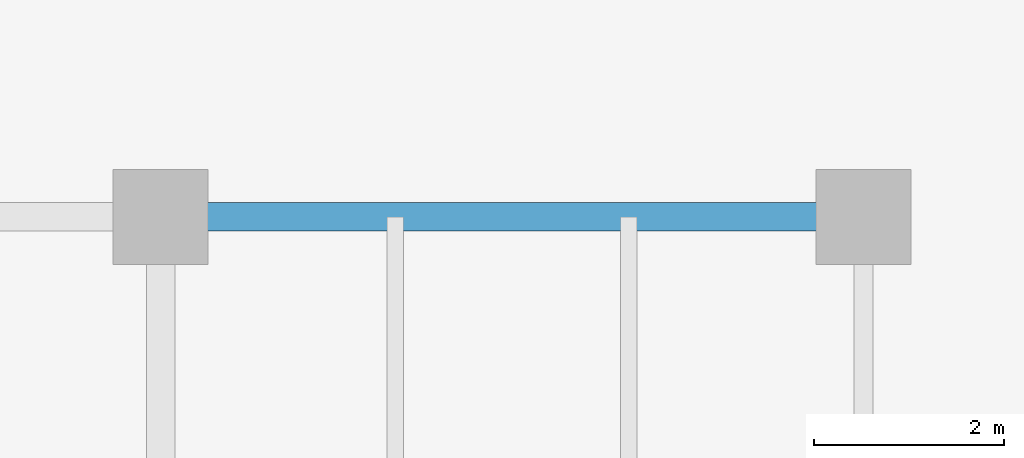
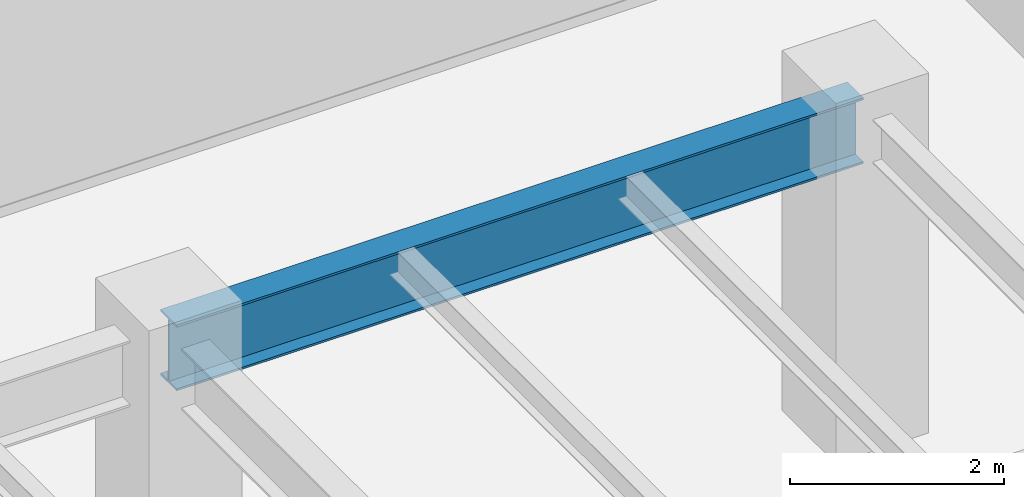
# One storey, part 21 of 35: 1 beam.
"""IFC4 building model written with IfcOpenShell, lengths in metres."""

from ifc_helpers import new_model, si_unit, direction, frame, origin, origin_2d, place, context, subcontext, project, spatial, i_section, extrude, source, transform, mapped, material, material_profile, profile_set, type_object, type_shapes, element, save


model = new_model("IFC4")

# Units and contexts
model_context = context("Model", 3, precision=1e-05, world=origin(), true_north=direction((0.0, 1.0)))
body_context = subcontext(model_context, "Body", "Model", "MODEL_VIEW")
ifc_project = project(units=[si_unit("LENGTHUNIT", "METRE"), si_unit("AREAUNIT", "SQUARE_METRE"), si_unit("VOLUMEUNIT", "CUBIC_METRE"), si_unit("PLANEANGLEUNIT", "RADIAN"), si_unit("MASSUNIT", "GRAM", prefix="KILO")], contexts=[model_context])

# Site, building, storey
site_placement = place(None, origin())
site = spatial("IfcSite", under=ifc_project, at=site_placement, CompositionType="ELEMENT")
building_placement = place(site_placement, origin())
building = spatial("IfcBuilding", under=site, at=building_placement, Name="Haelvirn Gate Laboratories", CompositionType="ELEMENT")
storey_placement = place(building_placement, frame((0.0, 0.0, 58.0)))
storey = spatial("IfcBuildingStorey", under=building, at=storey_placement, Name="L14", CompositionType="ELEMENT", Elevation=58.0)

# Beam
ifc_material = material(Name="Steel SM355", Category="steel")
ifc_material_profile = material_profile(ifc_material, i_section(OverallWidth=0.300048828125, OverallDepth=0.75, WebThickness=0.013916015625, FlangeThickness=0.02392578125, at=origin_2d()), Name="H-750x300x14x24")
ifc_profile_set = profile_set([ifc_material_profile], Name="Steel SM355")
beam_type = type_object("IfcBeamType", Name="BM-G-750", PredefinedType="BEAM", material=ifc_profile_set)
shared_shape = source(origin(), body_context, "Body", "SweptSolid", [
    extrude(i_section(OverallWidth=0.300048828125, OverallDepth=0.75, WebThickness=0.013916015625, FlangeThickness=0.02392578125, at=origin_2d()), origin(), (0.0, 0.0, 1.0), 7.39990234375),
])
type_shapes(beam_type, [shared_shape])
beam_placement = place(storey_placement, frame((60.0, 41.60009765625, 3.405029296875), z_axis=(1.0, 0.0, 0.0), x_axis=(0.0, 1.0, 0.0)))
element("IfcBeam", 1, at=beam_placement, inside=storey, type_object=beam_type, Name="L14 Primary Girder Y41.6 (60.0-67.4)", PredefinedType="BEAM", context=body_context, shape_type="MappedRepresentation", body=[
    mapped(shared_shape, transform((0.0, 0.0, 0.0), scale=1.0)),
])

save(model, "model.ifc")
